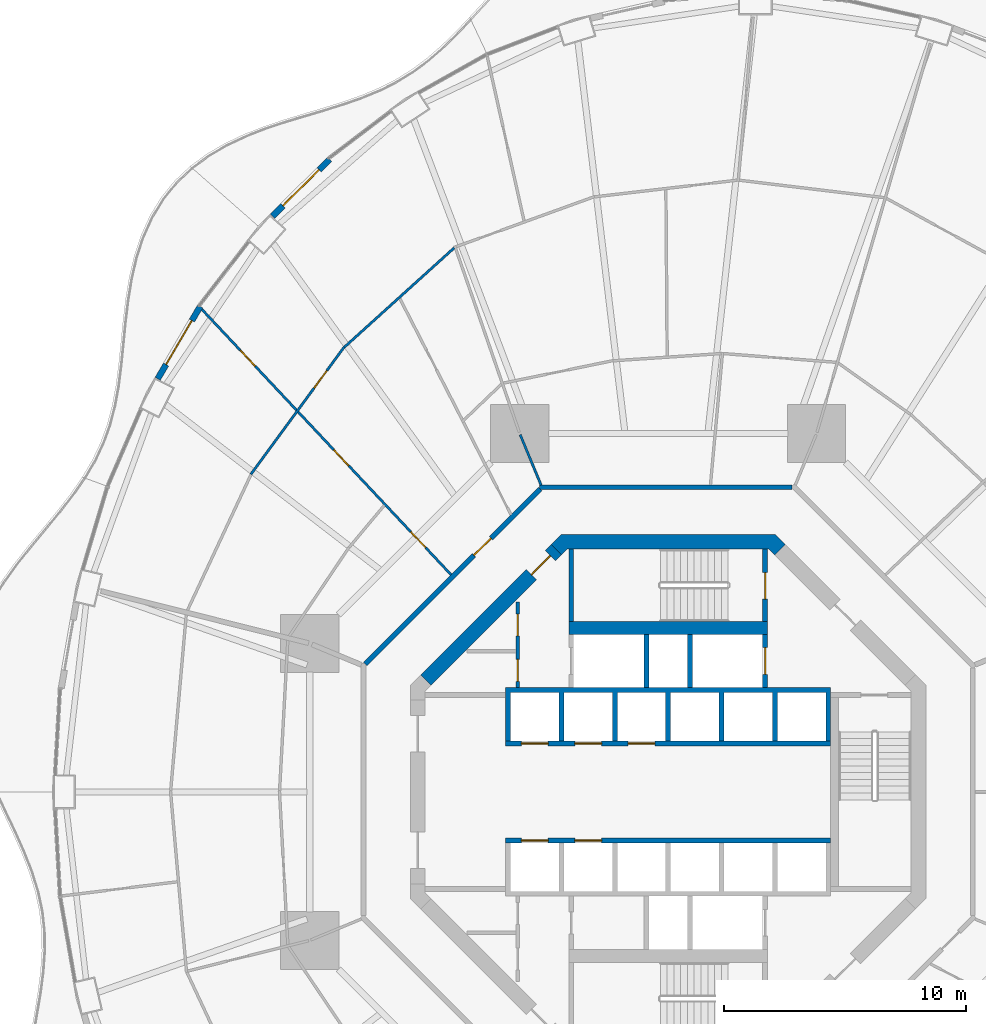
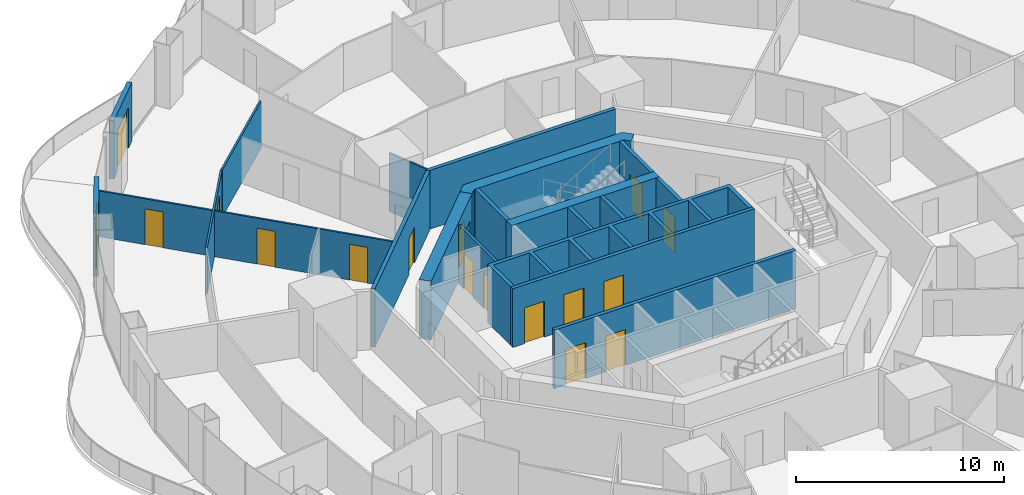
# One storey, part 17 of 22: 20 walls, 17 doors, 17 openings.
"""IFC4 building model written with IfcOpenShell, lengths in metres."""

from ifc_helpers import new_model, si_unit, direction, frame, frame_2d, origin, place, context, subcontext, project, spatial, polyline, rectangle, outline, extrude, material, layer, layer_set, type_object, element, fill, save


model = new_model("IFC4")

# Units and contexts
model_context = context("Model", 3, precision=1e-05, world=origin(), true_north=direction((0.0, 1.0)))
body_context = subcontext(model_context, "Body", "Model", "MODEL_VIEW")
ifc_project = project(units=[si_unit("LENGTHUNIT", "METRE"), si_unit("AREAUNIT", "SQUARE_METRE"), si_unit("VOLUMEUNIT", "CUBIC_METRE"), si_unit("PLANEANGLEUNIT", "RADIAN"), si_unit("MASSUNIT", "GRAM", prefix="KILO")], contexts=[model_context])

# Site, building, storey
site_placement = place(None, origin())
site = spatial("IfcSite", under=ifc_project, at=site_placement, CompositionType="ELEMENT")
building_placement = place(site_placement, origin())
building = spatial("IfcBuilding", under=site, at=building_placement, Name="Nagisa Residences", CompositionType="ELEMENT")
storey_placement = place(building_placement, frame((0.0, 0.0, 38.10009765625)))
storey = spatial("IfcBuildingStorey", under=building, at=storey_placement, Name="L08", CompositionType="ELEMENT", Elevation=38.10009765625)

# Wall
ifc_material_1 = material(Name="Gypsum board on steel studs", Category="steel")
ifc_layer_1 = layer(ifc_material_1, 0.199951171875)
ifc_layer_set_1 = layer_set([ifc_layer_1], Name="Apartment entry wall EI60 200")
wall_type_1 = type_object("IfcWallType", Name="Apartment entry wall EI60 200", PredefinedType="PARTITIONING", material=ifc_layer_set_1)
wall_1_placement = place(storey_placement, frame((5.1044921875, 12.564697265625, 0.0), z_axis=(0.0, 0.0, 1.0), x_axis=(-1.0, 0.0, 0.0)))
element("IfcWall", 1, at=wall_1_placement, inside=storey, type_object=wall_type_1, Name="wall:L08:u08", PredefinedType="PARTITIONING", context=body_context, shape_type="SweptSolid", body=[
    extrude(rectangle(XDim=10.408935546875, YDim=0.199951171875, at=frame_2d((5.20458984375, 0.0))), origin(), (0.0, 0.0, 1.0), 3.43994140625),
])

# Wall, opening, door
wall_2_placement = place(storey_placement, frame((-5.275146484375, 12.494140625, 0.0), z_axis=(0.0, 0.0, 1.0), x_axis=(-0.707106781187, -0.707106781187, 0.0)))
wall_2 = element("IfcWall", 2, at=wall_2_placement, inside=storey, type_object=wall_type_1, Name="wall:L08:u09", PredefinedType="PARTITIONING", context=body_context, shape_type="SweptSolid", body=[
    extrude(rectangle(XDim=10.209228515625, YDim=0.199951171875, at=frame_2d((5.1044921875, 0.0))), origin(), (0.0, 0.0, 1.0), 3.43994140625),
])
opening_1_placement = place(wall_2_placement, frame((2.86962890625, 0.0, 0.0)))
opening_1 = element("IfcOpeningElement", 3, at=opening_1_placement, cuts=wall_2, Name="Opening L08-U01", PredefinedType="OPENING", context=body_context, shape_type="SweptSolid", body=[
    extrude(rectangle(XDim=1.0, YDim=2.10009765625, at=frame_2d((0.5, 1.050048828125))), frame((0.0, 0.10986328125, 0.0), z_axis=(0.0, -1.0, 0.0), x_axis=(1.0, 0.0, 0.0)), (0.0, 0.0, 1.0), 0.219970703125),
])
ifc_material_2 = material(Name="Timber fire door set", Category="wood")
door_type_1 = type_object("IfcDoorType", Name="Apartment entry door FD30S 1000x2100", OperationType="NOTDEFINED", PredefinedType="DOOR", material=ifc_material_2)
door_1_placement = place(opening_1_placement, frame((1.0, 0.0, 0.0), x_axis=(-1.0, 0.0, 0.0)))
door_1 = element("IfcDoor", 4, at=door_1_placement, inside=storey, type_object=door_type_1, Name="Entry door, Apartment 08A", OperationType="SINGLE_SWING_RIGHT", OverallHeight=2.10009765625, OverallWidth=1.0, PredefinedType="DOOR", context=body_context, shape_type="SweptSolid", body=[
    extrude(rectangle(XDim=1.0, YDim=2.10009765625, at=frame_2d((0.5, 1.050048828125))), frame((0.0, 0.02490234375, 0.0), z_axis=(0.0, -1.0, 0.0), x_axis=(1.0, 0.0, 0.0)), (0.0, 0.0, 1.0), 0.050048828125),
])
fill(opening_1, door_1)

# Walls
ifc_material_3 = material(Name="Gypsum board on steel studs", Category="steel")
ifc_layer_2 = layer(ifc_material_3, 0.10009765625)
ifc_layer_set_2 = layer_set([ifc_layer_2], Name="Apartment partition 100")
wall_type_2 = type_object("IfcWallType", Name="Apartment partition 100", PredefinedType="PARTITIONING", material=ifc_layer_set_2)
wall_3_placement = place(storey_placement, frame((-5.24267578125, 12.6572265625, 0.0), z_axis=(0.0, 0.0, 1.0), x_axis=(-0.382719158442, 0.923864733477, 0.0)))
element("IfcWall", 5, at=wall_3_placement, inside=storey, type_object=wall_type_2, Name="wall:L08:u42", PredefinedType="PARTITIONING", context=body_context, shape_type="SweptSolid", body=[
    extrude(rectangle(XDim=2.25, YDim=0.10009765625, at=frame_2d((1.125, 0.0))), origin(), (0.0, 0.0, 1.0), 3.43994140625),
])
wall_4_placement = place(storey_placement, frame((-8.823486328125, 22.440673828125, 0.0), z_axis=(0.0, 0.0, 1.0), x_axis=(-0.741722263338, -0.670707152242, 0.0)))
element("IfcWall", 6, at=wall_4_placement, inside=storey, type_object=wall_type_2, Name="wall:L08:u45", PredefinedType="PARTITIONING", context=body_context, shape_type="SweptSolid", body=[
    extrude(rectangle(XDim=6.109130859375, YDim=0.10009765625, at=frame_2d((3.0546875, 0.0))), origin(), (0.0, 0.0, 1.0), 2.755859375),
])

# Wall, opening, door
wall_5_placement = place(storey_placement, frame((-13.3623046875, 18.35009765625, 0.0), z_axis=(0.0, 0.0, 1.0), x_axis=(-0.591191311491, -0.806531359104, 0.0)))
wall_5 = element("IfcWall", 7, at=wall_5_placement, inside=storey, type_object=wall_type_2, Name="wall:L08:u47", PredefinedType="PARTITIONING", context=body_context, shape_type="SweptSolid", body=[
    extrude(rectangle(XDim=6.510009765625, YDim=0.10009765625, at=frame_2d((3.2548828125, 0.0))), origin(), (0.0, 0.0, 1.0), 2.755859375),
])
opening_2_placement = place(wall_5_placement, frame((1.202392578125, 0.0, 0.0)))
opening_2 = element("IfcOpeningElement", 8, at=opening_2_placement, cuts=wall_5, Name="Opening L08-U06", PredefinedType="OPENING", context=body_context, shape_type="SweptSolid", body=[
    extrude(rectangle(XDim=0.89990234375, YDim=2.10009765625, at=frame_2d((0.449951171875, 1.050048828125))), frame((0.0, 0.06005859375, 0.0), z_axis=(0.0, -1.0, 0.0), x_axis=(1.0, 0.0, 0.0)), (0.0, 0.0, 1.0), 0.1201171875),
])
ifc_material_4 = material(Name="Timber door set", Category="wood")
door_type_2 = type_object("IfcDoorType", Name="Apartment door 900x2100", OperationType="NOTDEFINED", PredefinedType="DOOR", material=ifc_material_4)
door_2_placement = place(opening_2_placement, frame((0.89990234375, 0.0, 0.0), x_axis=(-1.0, 0.0, 0.0)))
door_2 = element("IfcDoor", 9, at=door_2_placement, inside=storey, type_object=door_type_2, Name="Door to family room, Apartment 08A", OperationType="SINGLE_SWING_LEFT", OverallHeight=2.10009765625, OverallWidth=0.89990234375, PredefinedType="DOOR", context=body_context, shape_type="SweptSolid", body=[
    extrude(rectangle(XDim=0.89990234375, YDim=2.10009765625, at=frame_2d((0.449951171875, 1.050048828125))), frame((0.0, 0.02490234375, 0.0), z_axis=(0.0, -1.0, 0.0), x_axis=(1.0, 0.0, 0.0)), (0.0, 0.0, 1.0), 0.050048828125),
])
fill(opening_2, door_2)

# Wall, openings, doors
wall_6_placement = place(storey_placement, frame((-8.953125, 8.95751953125, 0.0), z_axis=(0.0, 0.0, 1.0), x_axis=(-0.684574307023, 0.728943082939, 0.0)))
wall_6 = element("IfcWall", 10, at=wall_6_placement, inside=storey, type_object=wall_type_2, Name="wall:L08:u48", PredefinedType="PARTITIONING", context=body_context, shape_type="SweptSolid", body=[
    extrude(rectangle(XDim=15.23095703125, YDim=0.10009765625, at=frame_2d((7.615478515625, 0.0))), origin(), (0.0, 0.0, 1.0), 2.68701171875),
])
opening_3_placement = place(wall_6_placement, frame((1.5400390625, 0.0, 0.0)))
opening_3 = element("IfcOpeningElement", 11, at=opening_3_placement, cuts=wall_6, Name="Opening L08-U03", PredefinedType="OPENING", context=body_context, shape_type="SweptSolid", body=[
    extrude(rectangle(XDim=0.89990234375, YDim=2.10009765625, at=frame_2d((0.449951171875, 1.050048828125))), frame((0.0, 0.06005859375, 0.0), z_axis=(0.0, -1.0, 0.0), x_axis=(1.0, 0.0, 0.0)), (0.0, 0.0, 1.0), 0.1201171875),
])
opening_4_placement = place(wall_6_placement, frame((6.17431640625, 0.0, 0.0)))
opening_4 = element("IfcOpeningElement", 12, at=opening_4_placement, cuts=wall_6, Name="Opening L08-U05", PredefinedType="OPENING", context=body_context, shape_type="SweptSolid", body=[
    extrude(rectangle(XDim=0.89990234375, YDim=2.10009765625, at=frame_2d((0.449951171875, 1.050048828125))), frame((0.0, 0.06005859375, 0.0), z_axis=(0.0, -1.0, 0.0), x_axis=(1.0, 0.0, 0.0)), (0.0, 0.0, 1.0), 0.1201171875),
])
opening_5_placement = place(wall_6_placement, frame((11.7998046875, 0.0, 0.0)))
opening_5 = element("IfcOpeningElement", 13, at=opening_5_placement, cuts=wall_6, Name="Opening L08-U07", PredefinedType="OPENING", context=body_context, shape_type="SweptSolid", body=[
    extrude(rectangle(XDim=0.89990234375, YDim=2.10009765625, at=frame_2d((0.449951171875, 1.050048828125))), frame((0.0, 0.06005859375, 0.0), z_axis=(0.0, -1.0, 0.0), x_axis=(1.0, 0.0, 0.0)), (0.0, 0.0, 1.0), 0.1201171875),
])
door_3_placement = place(opening_3_placement, origin())
door_3 = element("IfcDoor", 14, at=door_3_placement, inside=storey, type_object=door_type_2, Name="Door to store, Apartment 08A", OperationType="SINGLE_SWING_LEFT", OverallHeight=2.10009765625, OverallWidth=0.89990234375, PredefinedType="DOOR", context=body_context, shape_type="SweptSolid", body=[
    extrude(rectangle(XDim=0.89990234375, YDim=2.10009765625, at=frame_2d((0.449951171875, 1.050048828125))), frame((0.0, 0.02490234375, 0.0), z_axis=(0.0, -1.0, 0.0), x_axis=(1.0, 0.0, 0.0)), (0.0, 0.0, 1.0), 0.050048828125),
])
fill(opening_3, door_3)
door_4_placement = place(opening_4_placement, origin())
door_4 = element("IfcDoor", 15, at=door_4_placement, inside=storey, type_object=door_type_2, Name="Door to kitchen, Apartment 08A", OperationType="SINGLE_SWING_LEFT", OverallHeight=2.10009765625, OverallWidth=0.89990234375, PredefinedType="DOOR", context=body_context, shape_type="SweptSolid", body=[
    extrude(rectangle(XDim=0.89990234375, YDim=2.10009765625, at=frame_2d((0.449951171875, 1.050048828125))), frame((0.0, 0.02490234375, 0.0), z_axis=(0.0, -1.0, 0.0), x_axis=(1.0, 0.0, 0.0)), (0.0, 0.0, 1.0), 0.050048828125),
])
fill(opening_4, door_4)
door_5_placement = place(opening_5_placement, origin())
door_5 = element("IfcDoor", 16, at=door_5_placement, inside=storey, type_object=door_type_2, Name="Door to master bedroom, Apartment 08A", OperationType="SINGLE_SWING_LEFT", OverallHeight=2.10009765625, OverallWidth=0.89990234375, PredefinedType="DOOR", context=body_context, shape_type="SweptSolid", body=[
    extrude(rectangle(XDim=0.89990234375, YDim=2.10009765625, at=frame_2d((0.449951171875, 1.050048828125))), frame((0.0, 0.02490234375, 0.0), z_axis=(0.0, -1.0, 0.0), x_axis=(1.0, 0.0, 0.0)), (0.0, 0.0, 1.0), 0.050048828125),
])
fill(opening_5, door_5)

# Wall, opening, door
ifc_material_5 = material(Name="Precast concrete C40/50", Category="concrete")
ifc_layer_3 = layer(ifc_material_5, 0.25)
ifc_layer_set_3 = layer_set([ifc_layer_3], Name="BALCONY DOOR WALL 250")
wall_type_3 = type_object("IfcWallType", Name="BALCONY DOOR WALL 250", PredefinedType="SOLIDWALL", material=ifc_layer_set_3)
wall_7_placement = place(storey_placement, frame((-16.322265625, 23.740478515625, 0.0), z_axis=(0.0, 0.0, 1.0), x_axis=(0.707803094595, 0.706409781417, 0.0)))
wall_7 = element("IfcWall", 17, at=wall_7_placement, inside=storey, type_object=wall_type_3, Name="wall:L08:bay17", PredefinedType="SOLIDWALL", context=body_context, shape_type="SweptSolid", body=[
    extrude(rectangle(XDim=3.329345703125, YDim=0.25, at=frame_2d((1.66455078125, 0.0))), origin(), (0.0, 0.0, 1.0), 3.43994140625),
])
opening_6_placement = place(wall_7_placement, frame((0.614501953125, 0.0, 0.0)))
opening_6 = element("IfcOpeningElement", 18, at=opening_6_placement, cuts=wall_7, Name="Opening BD-L08-06", PredefinedType="OPENING", context=body_context, shape_type="SweptSolid", body=[
    extrude(rectangle(XDim=2.10009765625, YDim=2.39990234375, at=frame_2d((1.050048828125, 1.199951171875))), frame((0.0, 0.135009765625, 0.0), z_axis=(0.0, -1.0, 0.0), x_axis=(1.0, 0.0, 0.0)), (0.0, 0.0, 1.0), 0.27001953125),
])
ifc_material_6 = material(Name="Aluminium and clear glass", Category="aluminium")
door_type_3 = type_object("IfcDoorType", Name="BALCONY SLIDING DOOR 2100x2400", OperationType="SLIDING_TO_LEFT", PredefinedType="DOOR", material=ifc_material_6)
door_6_placement = place(opening_6_placement, origin())
door_6 = element("IfcDoor", 19, at=door_6_placement, inside=storey, type_object=door_type_3, Name="door:L08:bay17", OperationType="SLIDING_TO_LEFT", OverallHeight=2.39990234375, OverallWidth=2.10009765625, PredefinedType="DOOR", context=body_context, shape_type="SweptSolid", body=[
    extrude(rectangle(XDim=2.10009765625, YDim=2.39990234375, at=frame_2d((1.050048828125, 1.199951171875))), frame((0.0, 0.02490234375, 0.0), z_axis=(0.0, -1.0, 0.0), x_axis=(1.0, 0.0, 0.0)), (0.0, 0.0, 1.0), 0.050048828125),
])
fill(opening_6, door_6)

wall_8_placement = place(storey_placement, frame((-21.052490234375, 17.040283203125, 0.0), z_axis=(0.0, 0.0, 1.0), x_axis=(0.506311160839, 0.862350861546, 0.0)))
wall_8 = element("IfcWall", 20, at=wall_8_placement, inside=storey, type_object=wall_type_3, Name="wall:L08:bay19", PredefinedType="SOLIDWALL", context=body_context, shape_type="SweptSolid", body=[
    extrude(rectangle(XDim=3.462158203125, YDim=0.25, at=frame_2d((1.73095703125, 0.0))), origin(), (0.0, 0.0, 1.0), 3.43994140625),
])
opening_7_placement = place(wall_8_placement, frame((0.68115234375, 0.0, 0.0)))
opening_7 = element("IfcOpeningElement", 21, at=opening_7_placement, cuts=wall_8, Name="Opening BD-L08-07", PredefinedType="OPENING", context=body_context, shape_type="SweptSolid", body=[
    extrude(rectangle(XDim=2.10009765625, YDim=2.39990234375, at=frame_2d((1.050048828125, 1.199951171875))), frame((0.0, 0.135009765625, 0.0), z_axis=(0.0, -1.0, 0.0), x_axis=(1.0, 0.0, 0.0)), (0.0, 0.0, 1.0), 0.27001953125),
])
door_7_placement = place(opening_7_placement, origin())
door_7 = element("IfcDoor", 22, at=door_7_placement, inside=storey, type_object=door_type_3, Name="door:L08:bay19", OperationType="SLIDING_TO_LEFT", OverallHeight=2.39990234375, OverallWidth=2.10009765625, PredefinedType="DOOR", context=body_context, shape_type="SweptSolid", body=[
    extrude(rectangle(XDim=2.10009765625, YDim=2.39990234375, at=frame_2d((1.050048828125, 1.199951171875))), frame((0.0, 0.02490234375, 0.0), z_axis=(0.0, -1.0, 0.0), x_axis=(1.0, 0.0, 0.0)), (0.0, 0.0, 1.0), 0.050048828125),
])
fill(opening_7, door_7)

# Wall, openings, doors
ifc_material_7 = material(Name="Gypsum board on steel studs", Category="steel")
ifc_layer_4 = layer(ifc_material_7, 0.14990234375)
ifc_layer_set_4 = layer_set([ifc_layer_4], Name="Core partition 150")
wall_type_4 = type_object("IfcWallType", Name="Core partition 150", PredefinedType="PARTITIONING", material=ifc_layer_set_4)
wall_9_placement = place(storey_placement, frame((-6.199951171875, 4.300048828125, 0.0), z_axis=(0.0, 0.0, 1.0), x_axis=(0.0, 1.0, 0.0)))
wall_9 = element("IfcWall", 23, at=wall_9_placement, inside=storey, type_object=wall_type_4, Name="wall:L08:NWp", PredefinedType="PARTITIONING", context=body_context, shape_type="SweptSolid", body=[
    extrude(rectangle(XDim=3.52685546875, YDim=0.14990234375, at=frame_2d((1.763427734375, 0.0))), origin(), (0.0, 0.0, 1.0), 3.43994140625),
])
opening_8_placement = place(wall_9_placement, frame((0.262451171875, 0.0, 0.0)))
opening_8 = element("IfcOpeningElement", 24, at=opening_8_placement, cuts=wall_9, Name="Opening L08-C12", PredefinedType="OPENING", context=body_context, shape_type="SweptSolid", body=[
    extrude(rectangle(XDim=0.89990234375, YDim=2.10009765625, at=frame_2d((0.449951171875, 1.050048828125))), frame((0.0, 0.0849609375, 0.0), z_axis=(0.0, -1.0, 0.0), x_axis=(1.0, 0.0, 0.0)), (0.0, 0.0, 1.0), 0.169921875),
])
opening_9_placement = place(wall_9_placement, frame((2.138427734375, 0.0, 0.0)))
opening_9 = element("IfcOpeningElement", 25, at=opening_9_placement, cuts=wall_9, Name="Opening L08-C13", PredefinedType="OPENING", context=body_context, shape_type="SweptSolid", body=[
    extrude(rectangle(XDim=0.89990234375, YDim=2.10009765625, at=frame_2d((0.449951171875, 1.050048828125))), frame((0.0, 0.0849609375, 0.0), z_axis=(0.0, -1.0, 0.0), x_axis=(1.0, 0.0, 0.0)), (0.0, 0.0, 1.0), 0.169921875),
])
ifc_material_8 = material(Name="Steel fire door", Category="steel")
door_type_4 = type_object("IfcDoorType", Name="Fire door EI30 900x2100 single swing", OperationType="NOTDEFINED", PredefinedType="DOOR", material=ifc_material_8)
door_8_placement = place(opening_8_placement, origin())
door_8 = element("IfcDoor", 26, at=door_8_placement, inside=storey, type_object=door_type_4, Name="Hose reel room door L08", OperationType="SINGLE_SWING_LEFT", OverallHeight=2.10009765625, OverallWidth=0.89990234375, PredefinedType="DOOR", context=body_context, shape_type="SweptSolid", body=[
    extrude(rectangle(XDim=0.89990234375, YDim=2.10009765625, at=frame_2d((0.449951171875, 1.050048828125))), frame((0.0, 0.02490234375, 0.0), z_axis=(0.0, -1.0, 0.0), x_axis=(1.0, 0.0, 0.0)), (0.0, 0.0, 1.0), 0.050048828125),
])
fill(opening_8, door_8)
door_9_placement = place(opening_9_placement, origin())
door_9 = element("IfcDoor", 27, at=door_9_placement, inside=storey, type_object=door_type_4, Name="Cleaner store door L08", OperationType="SINGLE_SWING_LEFT", OverallHeight=2.10009765625, OverallWidth=0.89990234375, PredefinedType="DOOR", context=body_context, shape_type="SweptSolid", body=[
    extrude(rectangle(XDim=0.89990234375, YDim=2.10009765625, at=frame_2d((0.449951171875, 1.050048828125))), frame((0.0, 0.02490234375, 0.0), z_axis=(0.0, -1.0, 0.0), x_axis=(1.0, 0.0, 0.0)), (0.0, 0.0, 1.0), 0.050048828125),
])
fill(opening_9, door_9)

# Wall, opening, door
ifc_material_9 = material(Name="Concrete C60", Category="concrete")
ifc_layer_5 = layer(ifc_material_9, 0.60009765625)
ifc_layer_set_5 = layer_set([ifc_layer_5], Name="Core shear wall 600")
wall_type_5 = type_object("IfcWallType", Name="Core shear wall 600", PredefinedType="SHEAR", material=ifc_layer_set_5)
wall_10_placement = place(storey_placement, frame((-4.613037109375, 9.98828125, 0.0), z_axis=(0.0, 0.0, 1.0), x_axis=(-0.707106781187, -0.707106781187, 0.0)))
wall_10 = element("IfcWall", 28, at=wall_10_placement, inside=storey, type_object=wall_type_5, Name="wall:L08:core:flat3", PredefinedType="SHEAR", context=body_context, shape_type="SweptSolid", body=[
    extrude(rectangle(XDim=7.601806640625, YDim=0.60009765625, at=frame_2d((3.80078125, 0.0))), origin(), (0.0, 0.0, 1.0), 3.43994140625),
])
opening_10_placement = place(wall_10_placement, frame((0.350830078125, 0.0, 0.0)))
opening_10 = element("IfcOpeningElement", 29, at=opening_10_placement, cuts=wall_10, Name="Opening L08-C21", PredefinedType="OPENING", context=body_context, shape_type="SweptSolid", body=[
    extrude(rectangle(XDim=1.10009765625, YDim=2.10009765625, at=frame_2d((0.550048828125, 1.050048828125))), frame((0.0, 0.31005859375, 0.0), z_axis=(0.0, -1.0, 0.0), x_axis=(1.0, 0.0, 0.0)), (0.0, 0.0, 1.0), 0.6201171875),
])
ifc_material_10 = material(Name="Steel fire door", Category="steel")
door_type_5 = type_object("IfcDoorType", Name="Fire door EI60 1100x2100 single swing", OperationType="NOTDEFINED", PredefinedType="DOOR", material=ifc_material_10)
door_10_placement = place(opening_10_placement, origin())
door_10 = element("IfcDoor", 30, at=door_10_placement, inside=storey, type_object=door_type_5, Name="Service lobby door L08", OperationType="SINGLE_SWING_RIGHT", OverallHeight=2.10009765625, OverallWidth=1.10009765625, PredefinedType="DOOR", context=body_context, shape_type="SweptSolid", body=[
    extrude(rectangle(XDim=1.10009765625, YDim=2.10009765625, at=frame_2d((0.550048828125, 1.050048828125))), frame((0.0, 0.02490234375, 0.0), z_axis=(0.0, -1.0, 0.0), x_axis=(1.0, 0.0, 0.0)), (0.0, 0.0, 1.0), 0.050048828125),
])
fill(opening_10, door_10)

# Wall
wall_11_placement = place(storey_placement, origin())
element("IfcWall", 31, at=wall_11_placement, inside=storey, type_object=wall_type_5, Name="wall:L08:core:flat2", PredefinedType="SHEAR", context=body_context, shape_type="SweptSolid", body=[
    extrude(outline(polyline([(-4.15234375, 10.024658203125), (-4.40087890625, 9.776123046875), (-4.8251953125, 10.200439453125), (-4.40087890625, 10.62451171875), (4.40087890625, 10.62451171875), (4.8251953125, 10.200439453125), (4.40087890625, 9.776123046875), (4.15234375, 10.024658203125), (-4.15234375, 10.024658203125)])), origin(), (0.0, 0.0, 1.0), 3.43994140625),
])

# Wall, opening, door
ifc_material_11 = material(Name="Concrete C60", Category="concrete")
ifc_layer_6 = layer(ifc_material_11, 0.199951171875)
ifc_layer_set_6 = layer_set([ifc_layer_6], Name="Lift shaft wall 200")
wall_type_6 = type_object("IfcWallType", Name="Lift shaft wall 200", PredefinedType="SOLIDWALL", material=ifc_layer_set_6)
wall_12_placement = place(storey_placement, frame((4.0, 4.300048828125, 0.0), z_axis=(0.0, 0.0, 1.0), x_axis=(0.0, 1.0, 0.0)))
wall_12 = element("IfcWall", 32, at=wall_12_placement, inside=storey, type_object=wall_type_6, Name="wall:L08:Nb3", PredefinedType="SOLIDWALL", context=body_context, shape_type="SweptSolid", body=[
    extrude(rectangle(XDim=2.199951171875, YDim=0.199951171875, at=frame_2d((1.10009765625, 0.0))), origin(), (0.0, 0.0, 1.0), 3.43994140625),
])
opening_11_placement = place(wall_12_placement, frame((0.550048828125, 0.0, 0.0)))
opening_11 = element("IfcOpeningElement", 33, at=opening_11_placement, cuts=wall_12, Name="Opening L08-C06", PredefinedType="OPENING", context=body_context, shape_type="SweptSolid", body=[
    extrude(rectangle(XDim=1.10009765625, YDim=2.10009765625, at=frame_2d((0.550048828125, 1.050048828125))), frame((0.0, 0.10986328125, 0.0), z_axis=(0.0, -1.0, 0.0), x_axis=(1.0, 0.0, 0.0)), (0.0, 0.0, 1.0), 0.219970703125),
])
ifc_material_12 = material(Name="Stainless steel", Category="steel")
door_type_6 = type_object("IfcDoorType", Name="Lift landing door 1100x2100", OperationType="DOUBLE_DOOR_SLIDING", PredefinedType="DOOR", material=ifc_material_12)
door_11_placement = place(opening_11_placement, origin())
door_11 = element("IfcDoor", 34, at=door_11_placement, inside=storey, type_object=door_type_6, Name="Landing door FL1 L08", OperationType="DOUBLE_DOOR_SLIDING", OverallHeight=2.10009765625, OverallWidth=1.10009765625, PredefinedType="DOOR", context=body_context, shape_type="SweptSolid", body=[
    extrude(rectangle(XDim=1.10009765625, YDim=2.10009765625, at=frame_2d((0.550048828125, 1.050048828125))), frame((0.0, 0.02490234375, 0.0), z_axis=(0.0, -1.0, 0.0), x_axis=(1.0, 0.0, 0.0)), (0.0, 0.0, 1.0), 0.050048828125),
])
fill(opening_11, door_11)

# Wall, openings, doors
wall_13_placement = place(storey_placement, frame((-6.699951171875, 2.0, 0.0), z_axis=(0.0, 0.0, 1.0), x_axis=(1.0, 0.0, 0.0)))
wall_13 = element("IfcWall", 35, at=wall_13_placement, inside=storey, type_object=wall_type_6, Name="wall:L08:Nfront", PredefinedType="SOLIDWALL", context=body_context, shape_type="SweptSolid", body=[
    extrude(rectangle(XDim=13.39990234375, YDim=0.199951171875, at=frame_2d((6.699951171875, 0.0))), origin(), (0.0, 0.0, 1.0), 3.43994140625),
])
opening_12_placement = place(wall_13_placement, frame((0.64990234375, 0.0, 0.0)))
opening_12 = element("IfcOpeningElement", 36, at=opening_12_placement, cuts=wall_13, Name="Opening L08-C01", PredefinedType="OPENING", context=body_context, shape_type="SweptSolid", body=[
    extrude(rectangle(XDim=1.10009765625, YDim=2.10009765625, at=frame_2d((0.550048828125, 1.050048828125))), frame((0.0, 0.10986328125, 0.0), z_axis=(0.0, -1.0, 0.0), x_axis=(1.0, 0.0, 0.0)), (0.0, 0.0, 1.0), 0.219970703125),
])
opening_13_placement = place(wall_13_placement, frame((2.85009765625, 0.0, 0.0)))
opening_13 = element("IfcOpeningElement", 37, at=opening_13_placement, cuts=wall_13, Name="Opening L08-C02", PredefinedType="OPENING", context=body_context, shape_type="SweptSolid", body=[
    extrude(rectangle(XDim=1.10009765625, YDim=2.10009765625, at=frame_2d((0.550048828125, 1.050048828125))), frame((0.0, 0.10986328125, 0.0), z_axis=(0.0, -1.0, 0.0), x_axis=(1.0, 0.0, 0.0)), (0.0, 0.0, 1.0), 0.219970703125),
])
opening_14_placement = place(wall_13_placement, frame((5.050048828125, 0.0, 0.0)))
opening_14 = element("IfcOpeningElement", 38, at=opening_14_placement, cuts=wall_13, Name="Opening L08-C03", PredefinedType="OPENING", context=body_context, shape_type="SweptSolid", body=[
    extrude(rectangle(XDim=1.10009765625, YDim=2.10009765625, at=frame_2d((0.550048828125, 1.050048828125))), frame((0.0, 0.10986328125, 0.0), z_axis=(0.0, -1.0, 0.0), x_axis=(1.0, 0.0, 0.0)), (0.0, 0.0, 1.0), 0.219970703125),
])
door_12_placement = place(opening_12_placement, origin())
door_12 = element("IfcDoor", 39, at=door_12_placement, inside=storey, type_object=door_type_6, Name="Landing door A1 L08", OperationType="DOUBLE_DOOR_SLIDING", OverallHeight=2.10009765625, OverallWidth=1.10009765625, PredefinedType="DOOR", context=body_context, shape_type="SweptSolid", body=[
    extrude(rectangle(XDim=1.10009765625, YDim=2.10009765625, at=frame_2d((0.550048828125, 1.050048828125))), frame((0.0, 0.02490234375, 0.0), z_axis=(0.0, -1.0, 0.0), x_axis=(1.0, 0.0, 0.0)), (0.0, 0.0, 1.0), 0.050048828125),
])
fill(opening_12, door_12)
door_13_placement = place(opening_13_placement, origin())
door_13 = element("IfcDoor", 40, at=door_13_placement, inside=storey, type_object=door_type_6, Name="Landing door A2 L08", OperationType="DOUBLE_DOOR_SLIDING", OverallHeight=2.10009765625, OverallWidth=1.10009765625, PredefinedType="DOOR", context=body_context, shape_type="SweptSolid", body=[
    extrude(rectangle(XDim=1.10009765625, YDim=2.10009765625, at=frame_2d((0.550048828125, 1.050048828125))), frame((0.0, 0.02490234375, 0.0), z_axis=(0.0, -1.0, 0.0), x_axis=(1.0, 0.0, 0.0)), (0.0, 0.0, 1.0), 0.050048828125),
])
fill(opening_13, door_13)
door_14_placement = place(opening_14_placement, origin())
door_14 = element("IfcDoor", 41, at=door_14_placement, inside=storey, type_object=door_type_6, Name="Landing door A3 L08", OperationType="DOUBLE_DOOR_SLIDING", OverallHeight=2.10009765625, OverallWidth=1.10009765625, PredefinedType="DOOR", context=body_context, shape_type="SweptSolid", body=[
    extrude(rectangle(XDim=1.10009765625, YDim=2.10009765625, at=frame_2d((0.550048828125, 1.050048828125))), frame((0.0, 0.02490234375, 0.0), z_axis=(0.0, -1.0, 0.0), x_axis=(1.0, 0.0, 0.0)), (0.0, 0.0, 1.0), 0.050048828125),
])
fill(opening_14, door_14)

wall_14_placement = place(storey_placement, frame((-6.699951171875, -2.0, 0.0), z_axis=(0.0, 0.0, 1.0), x_axis=(1.0, 0.0, 0.0)))
wall_14 = element("IfcWall", 42, at=wall_14_placement, inside=storey, type_object=wall_type_6, Name="wall:L08:Sfront", PredefinedType="SOLIDWALL", context=body_context, shape_type="SweptSolid", body=[
    extrude(rectangle(XDim=13.39990234375, YDim=0.199951171875, at=frame_2d((6.699951171875, 0.0))), origin(), (0.0, 0.0, 1.0), 3.43994140625),
])
opening_15_placement = place(wall_14_placement, frame((0.64990234375, 0.0, 0.0)))
opening_15 = element("IfcOpeningElement", 43, at=opening_15_placement, cuts=wall_14, Name="Opening L08-C04", PredefinedType="OPENING", context=body_context, shape_type="SweptSolid", body=[
    extrude(rectangle(XDim=1.10009765625, YDim=2.10009765625, at=frame_2d((0.550048828125, 1.050048828125))), frame((0.0, 0.10986328125, 0.0), z_axis=(0.0, -1.0, 0.0), x_axis=(1.0, 0.0, 0.0)), (0.0, 0.0, 1.0), 0.219970703125),
])
opening_16_placement = place(wall_14_placement, frame((2.85009765625, 0.0, 0.0)))
opening_16 = element("IfcOpeningElement", 44, at=opening_16_placement, cuts=wall_14, Name="Opening L08-C05", PredefinedType="OPENING", context=body_context, shape_type="SweptSolid", body=[
    extrude(rectangle(XDim=1.10009765625, YDim=2.10009765625, at=frame_2d((0.550048828125, 1.050048828125))), frame((0.0, 0.10986328125, 0.0), z_axis=(0.0, -1.0, 0.0), x_axis=(1.0, 0.0, 0.0)), (0.0, 0.0, 1.0), 0.219970703125),
])
door_15_placement = place(opening_15_placement, origin())
door_15 = element("IfcDoor", 45, at=door_15_placement, inside=storey, type_object=door_type_6, Name="Landing door A4 L08", OperationType="DOUBLE_DOOR_SLIDING", OverallHeight=2.10009765625, OverallWidth=1.10009765625, PredefinedType="DOOR", context=body_context, shape_type="SweptSolid", body=[
    extrude(rectangle(XDim=1.10009765625, YDim=2.10009765625, at=frame_2d((0.550048828125, 1.050048828125))), frame((0.0, 0.02490234375, 0.0), z_axis=(0.0, -1.0, 0.0), x_axis=(1.0, 0.0, 0.0)), (0.0, 0.0, 1.0), 0.050048828125),
])
fill(opening_15, door_15)
door_16_placement = place(opening_16_placement, origin())
door_16 = element("IfcDoor", 46, at=door_16_placement, inside=storey, type_object=door_type_6, Name="Landing door A5 L08", OperationType="DOUBLE_DOOR_SLIDING", OverallHeight=2.10009765625, OverallWidth=1.10009765625, PredefinedType="DOOR", context=body_context, shape_type="SweptSolid", body=[
    extrude(rectangle(XDim=1.10009765625, YDim=2.10009765625, at=frame_2d((0.550048828125, 1.050048828125))), frame((0.0, 0.02490234375, 0.0), z_axis=(0.0, -1.0, 0.0), x_axis=(1.0, 0.0, 0.0)), (0.0, 0.0, 1.0), 0.050048828125),
])
fill(opening_16, door_16)

# Walls
for number, where, z_axis, x_axis, name in (
    (47, (-0.89990234375, 4.300048828125, 0.0), (0.0, 0.0, 1.0), (0.0, 1.0, 0.0), "wall:L08:Nb1"),
    (48, (0.89990234375, 4.300048828125, 0.0), (0.0, 0.0, 1.0), (0.0, 1.0, 0.0), "wall:L08:Nb2"),
):
    element("IfcWall", number, at=place(storey_placement, frame(where, z_axis=z_axis, x_axis=x_axis)), inside=storey, type_object=wall_type_6, Name=name, PredefinedType="SOLIDWALL", context=body_context, shape_type="SweptSolid", body=[
        extrude(rectangle(XDim=2.199951171875, YDim=0.199951171875, at=frame_2d((1.10009765625, 0.0))), origin(), (0.0, 0.0, 1.0), 3.43994140625),
    ])
wall_15_placement = place(storey_placement, origin())
element("IfcWall", 49, at=wall_15_placement, inside=storey, type_object=wall_type_6, Name="wall:L08:Nback", PredefinedType="SOLIDWALL", context=body_context, shape_type="SweptSolid", body=[
    extrude(outline(polyline([(-6.5, 2.10009765625), (-6.699951171875, 2.10009765625), (-6.699951171875, 4.300048828125), (6.699951171875, 4.300048828125), (6.699951171875, 2.10009765625), (6.5, 2.10009765625), (6.5, 4.10009765625), (4.5, 4.10009765625), (4.5, 2.10009765625), (4.300048828125, 2.10009765625), (4.300048828125, 4.10009765625), (2.300048828125, 4.10009765625), (2.300048828125, 2.10009765625), (2.10009765625, 2.10009765625), (2.10009765625, 4.10009765625), (0.10009765625, 4.10009765625), (0.10009765625, 2.10009765625), (-0.10009765625, 2.10009765625), (-0.10009765625, 4.10009765625), (-2.10009765625, 4.10009765625), (-2.10009765625, 2.10009765625), (-2.300048828125, 2.10009765625), (-2.300048828125, 4.10009765625), (-4.300048828125, 4.10009765625), (-4.300048828125, 2.10009765625), (-4.5, 2.10009765625), (-4.5, 4.10009765625), (-6.5, 4.10009765625), (-6.5, 2.10009765625)])), origin(), (0.0, 0.0, 1.0), 3.43994140625),
])

# Wall, opening, door
ifc_material_13 = material(Name="Concrete C60", Category="concrete")
ifc_layer_7 = layer(ifc_material_13, 0.199951171875)
ifc_layer_set_7 = layer_set([ifc_layer_7], Name="Stair enclosure wall 200")
wall_type_7 = type_object("IfcWallType", Name="Stair enclosure wall 200", PredefinedType="SOLIDWALL", material=ifc_layer_set_7)
wall_16_placement = place(storey_placement, frame((4.0, 7.024658203125, 0.0), z_axis=(0.0, 0.0, 1.0), x_axis=(0.0, 1.0, 0.0)))
wall_16 = element("IfcWall", 50, at=wall_16_placement, inside=storey, type_object=wall_type_7, Name="wall:L08:SN_e", PredefinedType="SOLIDWALL", context=body_context, shape_type="SweptSolid", body=[
    extrude(rectangle(XDim=3.0, YDim=0.199951171875, at=frame_2d((1.5, 0.0))), origin(), (0.0, 0.0, 1.0), 3.43994140625),
])
opening_17_placement = place(wall_16_placement, frame((0.92529296875, 0.0, 0.0)))
opening_17 = element("IfcOpeningElement", 51, at=opening_17_placement, cuts=wall_16, Name="Opening L08-C10", PredefinedType="OPENING", context=body_context, shape_type="SweptSolid", body=[
    extrude(rectangle(XDim=1.10009765625, YDim=2.10009765625, at=frame_2d((0.550048828125, 1.050048828125))), frame((0.0, 0.10986328125, 0.0), z_axis=(0.0, -1.0, 0.0), x_axis=(1.0, 0.0, 0.0)), (0.0, 0.0, 1.0), 0.219970703125),
])
ifc_material_14 = material(Name="Steel fire door", Category="steel")
door_type_7 = type_object("IfcDoorType", Name="Fire door EI90 1100x2100 single swing", OperationType="NOTDEFINED", PredefinedType="DOOR", material=ifc_material_14)
door_17_placement = place(opening_17_placement, origin())
door_17 = element("IfcDoor", 52, at=door_17_placement, inside=storey, type_object=door_type_7, Name="Stair door ST-N L08", OperationType="SINGLE_SWING_RIGHT", OverallHeight=2.10009765625, OverallWidth=1.10009765625, PredefinedType="DOOR", context=body_context, shape_type="SweptSolid", body=[
    extrude(rectangle(XDim=1.10009765625, YDim=2.10009765625, at=frame_2d((0.550048828125, 1.050048828125))), frame((0.0, 0.02490234375, 0.0), z_axis=(0.0, -1.0, 0.0), x_axis=(1.0, 0.0, 0.0)), (0.0, 0.0, 1.0), 0.050048828125),
])
fill(opening_17, door_17)

# Walls
wall_17_placement = place(storey_placement, origin())
element("IfcWall", 53, at=wall_17_placement, inside=storey, type_object=wall_type_7, Name="wall:L08:SN_w", PredefinedType="SOLIDWALL", context=body_context, shape_type="SweptSolid", body=[
    extrude(outline(polyline([(-3.89990234375, 7.024658203125), (-4.10009765625, 7.024658203125), (-4.10009765625, 10.024658203125), (-3.89990234375, 10.024658203125), (-3.89990234375, 7.024658203125)])), origin(), (0.0, 0.0, 1.0), 3.43994140625),
])
wall_18_placement = place(storey_placement, origin())
element("IfcWall", 54, at=wall_18_placement, inside=storey, type_object=wall_type_7, Name="wall:L08:SN_s", PredefinedType="SOLIDWALL", context=body_context, shape_type="SweptSolid", body=[
    extrude(outline(polyline([(4.10009765625, 6.5), (-4.10009765625, 6.5), (-4.10009765625, 7.024658203125), (4.10009765625, 7.024658203125), (4.10009765625, 6.5)])), origin(), (0.0, 0.0, 1.0), 3.43994140625),
])

save(model, "model.ifc")
